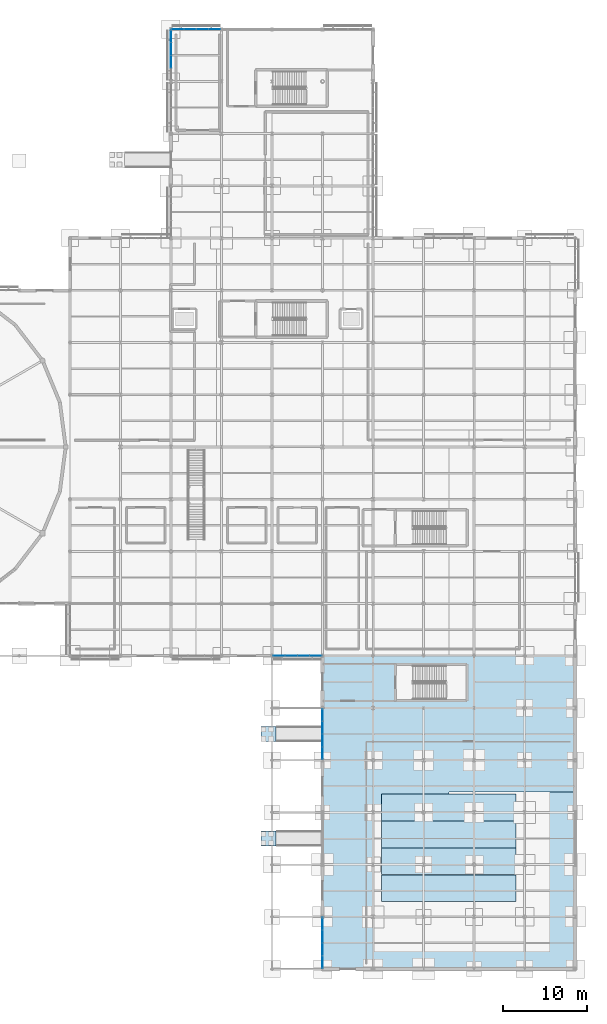
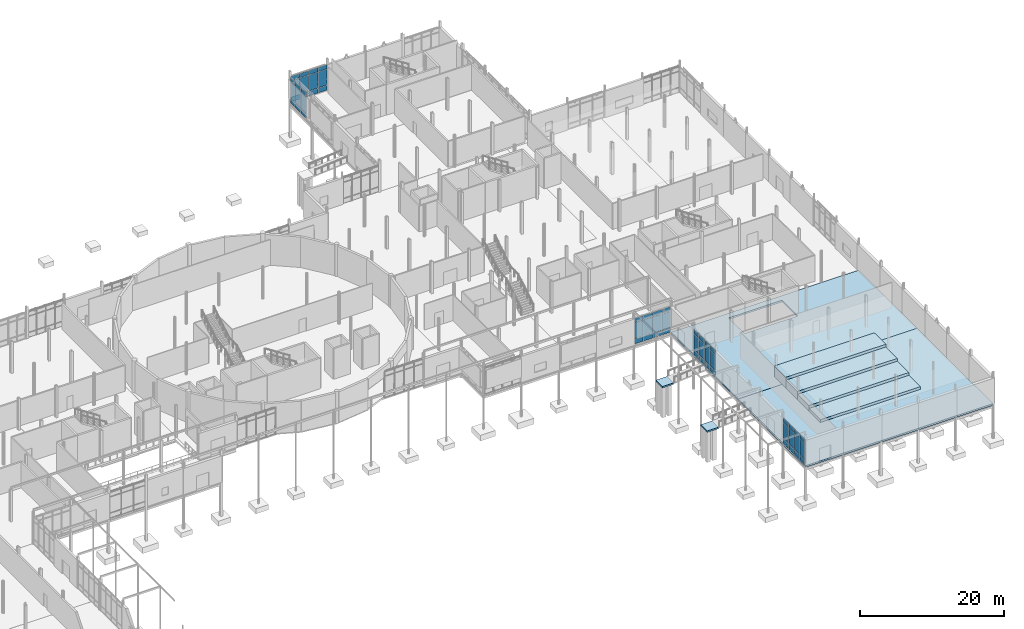
# One storey, part 64 of 98: 57 plates, 8 slabs, 5 elements without a shape of their own.
"""IFC4 building model written with IfcOpenShell, lengths in metres."""

from ifc_helpers import new_model, si_unit, direction, frame, origin, origin_2d, place, context, subcontext, project, spatial, polyline, rectangle, outline, extrude, material, layer, layer_set, type_object, element, aggregate, save


model = new_model("IFC4")

# Units and contexts
model_context = context("Model", 3, precision=1e-05, world=origin(), true_north=direction((0.0, 1.0)))
body_context = subcontext(model_context, "Body", "Model", "MODEL_VIEW")
ifc_project = project(units=[si_unit("LENGTHUNIT", "METRE"), si_unit("AREAUNIT", "SQUARE_METRE"), si_unit("VOLUMEUNIT", "CUBIC_METRE"), si_unit("PLANEANGLEUNIT", "RADIAN"), si_unit("MASSUNIT", "GRAM", prefix="KILO")], contexts=[model_context])

# Site, building, storey
site_placement = place(None, origin())
site = spatial("IfcSite", under=ifc_project, at=site_placement, CompositionType="ELEMENT")
building_placement = place(site_placement, origin())
building = spatial("IfcBuilding", under=site, at=building_placement, Name="Mirzam Square Science Centre", CompositionType="ELEMENT")
storey_placement = place(building_placement, origin())
storey = spatial("IfcBuildingStorey", under=building, at=storey_placement, Name="L00", CompositionType="ELEMENT", Elevation=0.0)

# Curtain wall, plates
ifc_material_1 = material(Name="Anodised Aluminium and Low-E Solar Glass", Category="aluminium")
ifc_layer_1 = layer(ifc_material_1, 0.179931640625)
ifc_layer_set_1 = layer_set([ifc_layer_1], Name="CW-PARK-A")
curtain_wall_type_1 = type_object("IfcCurtainWallType", Name="CW-PARK-A", PredefinedType="USERDEFINED", material=ifc_layer_set_1)
curtain_wall_1_placement = place(storey_placement, origin())
curtain_wall_1 = element("IfcCurtainWall", 1, at=curtain_wall_1_placement, inside=storey, type_object=curtain_wall_type_1, Name="L00 unitised curtain wall 59", ObjectType="UNITISED CURTAIN WALL", PredefinedType="USERDEFINED")
ifc_material_2 = material(Name="Ceramic-Fritted Courtyard Solar Glass", Category="glass")
ifc_layer_2 = layer(ifc_material_2, 0.02392578125)
ifc_layer_set_2 = layer_set([ifc_layer_2], Name="CWP-GLZ-24")
plate_type_1 = type_object("IfcPlateType", Name="CWP-GLZ-24", PredefinedType="CURTAIN_PANEL", material=ifc_layer_set_2)
plate_1_placement = place(storey_placement, frame((132.0, 30.1650390625, 0.074951171875), z_axis=(0.0, 0.0, 1.0), x_axis=(0.0, -1.0, 0.0)))
plate_1 = element("IfcPlate", 2, at=plate_1_placement, type_object=plate_type_1, Name="CW-01 panel 1.1", PredefinedType="CURTAIN_PANEL", context=body_context, shape_type="SweptSolid", body=[
    extrude(rectangle(XDim=1.409912109375, YDim=0.02392578125, at=origin_2d()), origin(), (0.0, 0.0, 1.0), 0.78759765625),
])
plate_2_placement = place(storey_placement, frame((132.0, 30.1650390625, 0.9375), z_axis=(0.0, 0.0, 1.0), x_axis=(0.0, -1.0, 0.0)))
plate_2 = element("IfcPlate", 3, at=plate_2_placement, type_object=plate_type_1, Name="CW-01 panel 1.2", PredefinedType="CURTAIN_PANEL", context=body_context, shape_type="SweptSolid", body=[
    extrude(rectangle(XDim=1.409912109375, YDim=0.02392578125, at=origin_2d()), origin(), (0.0, 0.0, 1.0), 2.6650390625),
])
plate_3_placement = place(storey_placement, frame((132.0, 30.1650390625, 3.677490234375), z_axis=(0.0, 0.0, 1.0), x_axis=(0.0, -1.0, 0.0)))
plate_3 = element("IfcPlate", 4, at=plate_3_placement, type_object=plate_type_1, Name="CW-01 panel 1.3", PredefinedType="CURTAIN_PANEL", context=body_context, shape_type="SweptSolid", body=[
    extrude(rectangle(XDim=1.409912109375, YDim=0.02392578125, at=origin_2d()), origin(), (0.0, 0.0, 1.0), 0.6875),
])
plate_4_placement = place(storey_placement, frame((132.0, 28.6611328125, 0.074951171875), z_axis=(0.0, 0.0, 1.0), x_axis=(0.0, -1.0, 0.0)))
plate_4 = element("IfcPlate", 5, at=plate_4_placement, type_object=plate_type_1, Name="CW-01 panel 2.1", PredefinedType="CURTAIN_PANEL", context=body_context, shape_type="SweptSolid", body=[
    extrude(rectangle(XDim=1.447509765625, YDim=0.02392578125, at=origin_2d()), origin(), (0.0, 0.0, 1.0), 0.78759765625),
])
plate_5_placement = place(storey_placement, frame((132.0, 28.6611328125, 0.9375), z_axis=(0.0, 0.0, 1.0), x_axis=(0.0, -1.0, 0.0)))
plate_5 = element("IfcPlate", 6, at=plate_5_placement, type_object=plate_type_1, Name="CW-01 panel 2.2", PredefinedType="CURTAIN_PANEL", context=body_context, shape_type="SweptSolid", body=[
    extrude(rectangle(XDim=1.447509765625, YDim=0.02392578125, at=origin_2d()), origin(), (0.0, 0.0, 1.0), 2.6650390625),
])
plate_6_placement = place(storey_placement, frame((132.0, 28.6611328125, 3.677490234375), z_axis=(0.0, 0.0, 1.0), x_axis=(0.0, -1.0, 0.0)))
plate_6 = element("IfcPlate", 7, at=plate_6_placement, type_object=plate_type_1, Name="CW-01 panel 2.3", PredefinedType="CURTAIN_PANEL", context=body_context, shape_type="SweptSolid", body=[
    extrude(rectangle(XDim=1.447509765625, YDim=0.02392578125, at=origin_2d()), origin(), (0.0, 0.0, 1.0), 0.6875),
])
plate_7_placement = place(storey_placement, frame((132.0, 27.138671875, 0.074951171875), z_axis=(0.0, 0.0, 1.0), x_axis=(0.0, -1.0, 0.0)))
plate_7 = element("IfcPlate", 8, at=plate_7_placement, type_object=plate_type_1, Name="CW-01 panel 3.1", PredefinedType="CURTAIN_PANEL", context=body_context, shape_type="SweptSolid", body=[
    extrude(rectangle(XDim=1.447509765625, YDim=0.02392578125, at=origin_2d()), origin(), (0.0, 0.0, 1.0), 0.78759765625),
])
plate_8_placement = place(storey_placement, frame((132.0, 27.138671875, 0.9375), z_axis=(0.0, 0.0, 1.0), x_axis=(0.0, -1.0, 0.0)))
plate_8 = element("IfcPlate", 9, at=plate_8_placement, type_object=plate_type_1, Name="CW-01 panel 3.2", PredefinedType="CURTAIN_PANEL", context=body_context, shape_type="SweptSolid", body=[
    extrude(rectangle(XDim=1.447509765625, YDim=0.02392578125, at=origin_2d()), origin(), (0.0, 0.0, 1.0), 2.6650390625),
])
plate_9_placement = place(storey_placement, frame((132.0, 27.138671875, 3.677490234375), z_axis=(0.0, 0.0, 1.0), x_axis=(0.0, -1.0, 0.0)))
plate_9 = element("IfcPlate", 10, at=plate_9_placement, type_object=plate_type_1, Name="CW-01 panel 3.3", PredefinedType="CURTAIN_PANEL", context=body_context, shape_type="SweptSolid", body=[
    extrude(rectangle(XDim=1.447509765625, YDim=0.02392578125, at=origin_2d()), origin(), (0.0, 0.0, 1.0), 0.6875),
])
plate_10_placement = place(storey_placement, frame((132.0, 25.635009765625, 0.074951171875), z_axis=(0.0, 0.0, 1.0), x_axis=(0.0, -1.0, 0.0)))
plate_10 = element("IfcPlate", 11, at=plate_10_placement, type_object=plate_type_1, Name="CW-01 panel 4.1", PredefinedType="CURTAIN_PANEL", context=body_context, shape_type="SweptSolid", body=[
    extrude(rectangle(XDim=1.409912109375, YDim=0.02392578125, at=origin_2d()), origin(), (0.0, 0.0, 1.0), 0.78759765625),
])
plate_11_placement = place(storey_placement, frame((132.0, 25.635009765625, 0.9375), z_axis=(0.0, 0.0, 1.0), x_axis=(0.0, -1.0, 0.0)))
plate_11 = element("IfcPlate", 12, at=plate_11_placement, type_object=plate_type_1, Name="CW-01 panel 4.2", PredefinedType="CURTAIN_PANEL", context=body_context, shape_type="SweptSolid", body=[
    extrude(rectangle(XDim=1.409912109375, YDim=0.02392578125, at=origin_2d()), origin(), (0.0, 0.0, 1.0), 2.6650390625),
])
plate_12_placement = place(storey_placement, frame((132.0, 25.635009765625, 3.677490234375), z_axis=(0.0, 0.0, 1.0), x_axis=(0.0, -1.0, 0.0)))
plate_12 = element("IfcPlate", 13, at=plate_12_placement, type_object=plate_type_1, Name="CW-01 panel 4.3", PredefinedType="CURTAIN_PANEL", context=body_context, shape_type="SweptSolid", body=[
    extrude(rectangle(XDim=1.409912109375, YDim=0.02392578125, at=origin_2d()), origin(), (0.0, 0.0, 1.0), 0.6875),
])
aggregate(curtain_wall_1, [plate_1, plate_2, plate_3, plate_4, plate_5, plate_6, plate_7, plate_8, plate_9, plate_10, plate_11, plate_12])

ifc_layer_3 = layer(ifc_material_1, 0.179931640625)
ifc_layer_set_3 = layer_set([ifc_layer_3], Name="CW-LINK-A")
curtain_wall_type_2 = type_object("IfcCurtainWallType", Name="CW-LINK-A", PredefinedType="USERDEFINED", material=ifc_layer_set_3)
curtain_wall_2_placement = place(storey_placement, origin())
curtain_wall_2 = element("IfcCurtainWall", 14, at=curtain_wall_2_placement, inside=storey, type_object=curtain_wall_type_2, Name="L00 unitised curtain wall 66", ObjectType="UNITISED CURTAIN WALL", PredefinedType="USERDEFINED")
ifc_material_3 = material(Name="Laminated Low-Iron Observatory Solar Glass", Category="glass")
ifc_layer_4 = layer(ifc_material_3, 0.035888671875)
ifc_layer_set_4 = layer_set([ifc_layer_4], Name="CWP-GLZ-36")
plate_type_2 = type_object("IfcPlateType", Name="CWP-GLZ-36", PredefinedType="CURTAIN_PANEL", material=ifc_layer_set_4)
plate_13_placement = place(storey_placement, frame((126.8076171875, 37.199951171875, 0.06494140625), z_axis=(0.0, 0.0, 1.0), x_axis=(1.0, 0.0, 0.0)))
plate_13 = element("IfcPlate", 15, at=plate_13_placement, type_object=plate_type_2, Name="CW-08 panel 1.1", PredefinedType="CURTAIN_PANEL", context=body_context, shape_type="SweptSolid", body=[
    extrude(rectangle(XDim=1.375, YDim=0.035888671875, at=origin_2d()), origin(), (0.0, 0.0, 1.0), 0.802490234375),
])
plate_14_placement = place(storey_placement, frame((126.8076171875, 37.199951171875, 0.9326171875), z_axis=(0.0, 0.0, 1.0), x_axis=(1.0, 0.0, 0.0)))
plate_14 = element("IfcPlate", 16, at=plate_14_placement, type_object=plate_type_2, Name="CW-08 panel 1.2", PredefinedType="CURTAIN_PANEL", context=body_context, shape_type="SweptSolid", body=[
    extrude(rectangle(XDim=1.375, YDim=0.035888671875, at=origin_2d()), origin(), (0.0, 0.0, 1.0), 2.675048828125),
])
plate_15_placement = place(storey_placement, frame((126.8076171875, 37.199951171875, 3.67236328125), z_axis=(0.0, 0.0, 1.0), x_axis=(1.0, 0.0, 0.0)))
plate_15 = element("IfcPlate", 17, at=plate_15_placement, type_object=plate_type_2, Name="CW-08 panel 1.3", PredefinedType="CURTAIN_PANEL", context=body_context, shape_type="SweptSolid", body=[
    extrude(rectangle(XDim=1.375, YDim=0.035888671875, at=origin_2d()), origin(), (0.0, 0.0, 1.0), 0.702392578125),
])
plate_16_placement = place(storey_placement, frame((128.263671875, 37.199951171875, 0.06494140625), z_axis=(0.0, 0.0, 1.0), x_axis=(1.0, 0.0, 0.0)))
plate_16 = element("IfcPlate", 18, at=plate_16_placement, type_object=plate_type_2, Name="CW-08 panel 2.1", PredefinedType="CURTAIN_PANEL", context=body_context, shape_type="SweptSolid", body=[
    extrude(rectangle(XDim=1.407470703125, YDim=0.035888671875, at=origin_2d()), origin(), (0.0, 0.0, 1.0), 0.802490234375),
])
plate_17_placement = place(storey_placement, frame((128.263671875, 37.199951171875, 0.9326171875), z_axis=(0.0, 0.0, 1.0), x_axis=(1.0, 0.0, 0.0)))
plate_17 = element("IfcPlate", 19, at=plate_17_placement, type_object=plate_type_2, Name="CW-08 panel 2.2", PredefinedType="CURTAIN_PANEL", context=body_context, shape_type="SweptSolid", body=[
    extrude(rectangle(XDim=1.407470703125, YDim=0.035888671875, at=origin_2d()), origin(), (0.0, 0.0, 1.0), 2.675048828125),
])
plate_18_placement = place(storey_placement, frame((128.263671875, 37.199951171875, 3.67236328125), z_axis=(0.0, 0.0, 1.0), x_axis=(1.0, 0.0, 0.0)))
plate_18 = element("IfcPlate", 20, at=plate_18_placement, type_object=plate_type_2, Name="CW-08 panel 2.3", PredefinedType="CURTAIN_PANEL", context=body_context, shape_type="SweptSolid", body=[
    extrude(rectangle(XDim=1.407470703125, YDim=0.035888671875, at=origin_2d()), origin(), (0.0, 0.0, 1.0), 0.702392578125),
])
plate_19_placement = place(storey_placement, frame((129.736328125, 37.199951171875, 0.06494140625), z_axis=(0.0, 0.0, 1.0), x_axis=(1.0, 0.0, 0.0)))
plate_19 = element("IfcPlate", 21, at=plate_19_placement, type_object=plate_type_2, Name="CW-08 panel 3.1", PredefinedType="CURTAIN_PANEL", context=body_context, shape_type="SweptSolid", body=[
    extrude(rectangle(XDim=1.407470703125, YDim=0.035888671875, at=origin_2d()), origin(), (0.0, 0.0, 1.0), 0.802490234375),
])
plate_20_placement = place(storey_placement, frame((129.736328125, 37.199951171875, 0.9326171875), z_axis=(0.0, 0.0, 1.0), x_axis=(1.0, 0.0, 0.0)))
plate_20 = element("IfcPlate", 22, at=plate_20_placement, type_object=plate_type_2, Name="CW-08 panel 3.2", PredefinedType="CURTAIN_PANEL", context=body_context, shape_type="SweptSolid", body=[
    extrude(rectangle(XDim=1.407470703125, YDim=0.035888671875, at=origin_2d()), origin(), (0.0, 0.0, 1.0), 2.675048828125),
])
plate_21_placement = place(storey_placement, frame((129.736328125, 37.199951171875, 3.67236328125), z_axis=(0.0, 0.0, 1.0), x_axis=(1.0, 0.0, 0.0)))
plate_21 = element("IfcPlate", 23, at=plate_21_placement, type_object=plate_type_2, Name="CW-08 panel 3.3", PredefinedType="CURTAIN_PANEL", context=body_context, shape_type="SweptSolid", body=[
    extrude(rectangle(XDim=1.407470703125, YDim=0.035888671875, at=origin_2d()), origin(), (0.0, 0.0, 1.0), 0.702392578125),
])
plate_22_placement = place(storey_placement, frame((131.1923828125, 37.199951171875, 0.06494140625), z_axis=(0.0, 0.0, 1.0), x_axis=(1.0, 0.0, 0.0)))
plate_22 = element("IfcPlate", 24, at=plate_22_placement, type_object=plate_type_2, Name="CW-08 panel 4.1", PredefinedType="CURTAIN_PANEL", context=body_context, shape_type="SweptSolid", body=[
    extrude(rectangle(XDim=1.375, YDim=0.035888671875, at=origin_2d()), origin(), (0.0, 0.0, 1.0), 0.802490234375),
])
plate_23_placement = place(storey_placement, frame((131.1923828125, 37.199951171875, 0.9326171875), z_axis=(0.0, 0.0, 1.0), x_axis=(1.0, 0.0, 0.0)))
plate_23 = element("IfcPlate", 25, at=plate_23_placement, type_object=plate_type_2, Name="CW-08 panel 4.2", PredefinedType="CURTAIN_PANEL", context=body_context, shape_type="SweptSolid", body=[
    extrude(rectangle(XDim=1.375, YDim=0.035888671875, at=origin_2d()), origin(), (0.0, 0.0, 1.0), 2.675048828125),
])
plate_24_placement = place(storey_placement, frame((131.1923828125, 37.199951171875, 3.67236328125), z_axis=(0.0, 0.0, 1.0), x_axis=(1.0, 0.0, 0.0)))
plate_24 = element("IfcPlate", 26, at=plate_24_placement, type_object=plate_type_2, Name="CW-08 panel 4.3", PredefinedType="CURTAIN_PANEL", context=body_context, shape_type="SweptSolid", body=[
    extrude(rectangle(XDim=1.375, YDim=0.035888671875, at=origin_2d()), origin(), (0.0, 0.0, 1.0), 0.702392578125),
])
aggregate(curtain_wall_2, [plate_13, plate_14, plate_15, plate_16, plate_17, plate_18, plate_19, plate_20, plate_21, plate_22, plate_23, plate_24])

ifc_layer_5 = layer(ifc_material_1, 0.199951171875)
ifc_layer_set_5 = layer_set([ifc_layer_5], Name="CW-EAST-A")
curtain_wall_type_3 = type_object("IfcCurtainWallType", Name="CW-EAST-A", PredefinedType="USERDEFINED", material=ifc_layer_set_5)
curtain_wall_3_placement = place(storey_placement, origin())
curtain_wall_3 = element("IfcCurtainWall", 27, at=curtain_wall_3_placement, inside=storey, type_object=curtain_wall_type_3, Name="L00 unitised curtain wall 58", ObjectType="UNITISED CURTAIN WALL", PredefinedType="USERDEFINED")
ifc_material_4 = material(Name="Acoustic Laminated Solar Spandrel Glass", Category="glass")
ifc_layer_6 = layer(ifc_material_4, 0.0400390625)
ifc_layer_set_6 = layer_set([ifc_layer_6], Name="CWP-GLZ-40")
plate_type_3 = type_object("IfcPlateType", Name="CWP-GLZ-40", PredefinedType="CURTAIN_PANEL", material=ifc_layer_set_6)
plate_25_placement = place(storey_placement, frame((132.0, 5.367431640625, 0.06494140625), z_axis=(0.0, 0.0, 1.0), x_axis=(0.0, -1.0, 0.0)))
plate_25 = element("IfcPlate", 28, at=plate_25_placement, type_object=plate_type_3, Name="CW-05 panel 1.1", PredefinedType="CURTAIN_PANEL", context=body_context, shape_type="SweptSolid", body=[
    extrude(rectangle(XDim=1.425048828125, YDim=0.0400390625, at=origin_2d()), origin(), (0.0, 0.0, 1.0), 0.802490234375),
])
plate_26_placement = place(storey_placement, frame((132.0, 5.367431640625, 0.9326171875), z_axis=(0.0, 0.0, 1.0), x_axis=(0.0, -1.0, 0.0)))
plate_26 = element("IfcPlate", 29, at=plate_26_placement, type_object=plate_type_3, Name="CW-05 panel 1.2", PredefinedType="CURTAIN_PANEL", context=body_context, shape_type="SweptSolid", body=[
    extrude(rectangle(XDim=1.425048828125, YDim=0.0400390625, at=origin_2d()), origin(), (0.0, 0.0, 1.0), 2.675048828125),
])
plate_27_placement = place(storey_placement, frame((132.0, 5.367431640625, 3.67236328125), z_axis=(0.0, 0.0, 1.0), x_axis=(0.0, -1.0, 0.0)))
plate_27 = element("IfcPlate", 30, at=plate_27_placement, type_object=plate_type_3, Name="CW-05 panel 1.3", PredefinedType="CURTAIN_PANEL", context=body_context, shape_type="SweptSolid", body=[
    extrude(rectangle(XDim=1.425048828125, YDim=0.0400390625, at=origin_2d()), origin(), (0.0, 0.0, 1.0), 0.702392578125),
])
plate_28_placement = place(storey_placement, frame((132.0, 3.861328125, 0.06494140625), z_axis=(0.0, 0.0, 1.0), x_axis=(0.0, -1.0, 0.0)))
plate_28 = element("IfcPlate", 31, at=plate_28_placement, type_object=plate_type_3, Name="CW-05 panel 2.1", PredefinedType="CURTAIN_PANEL", context=body_context, shape_type="SweptSolid", body=[
    extrude(rectangle(XDim=1.45751953125, YDim=0.0400390625, at=origin_2d()), origin(), (0.0, 0.0, 1.0), 0.802490234375),
])
plate_29_placement = place(storey_placement, frame((132.0, 3.861328125, 0.9326171875), z_axis=(0.0, 0.0, 1.0), x_axis=(0.0, -1.0, 0.0)))
plate_29 = element("IfcPlate", 32, at=plate_29_placement, type_object=plate_type_3, Name="CW-05 panel 2.2", PredefinedType="CURTAIN_PANEL", context=body_context, shape_type="SweptSolid", body=[
    extrude(rectangle(XDim=1.45751953125, YDim=0.0400390625, at=origin_2d()), origin(), (0.0, 0.0, 1.0), 2.675048828125),
])
plate_30_placement = place(storey_placement, frame((132.0, 3.861328125, 3.67236328125), z_axis=(0.0, 0.0, 1.0), x_axis=(0.0, -1.0, 0.0)))
plate_30 = element("IfcPlate", 33, at=plate_30_placement, type_object=plate_type_3, Name="CW-05 panel 2.3", PredefinedType="CURTAIN_PANEL", context=body_context, shape_type="SweptSolid", body=[
    extrude(rectangle(XDim=1.45751953125, YDim=0.0400390625, at=origin_2d()), origin(), (0.0, 0.0, 1.0), 0.702392578125),
])
plate_31_placement = place(storey_placement, frame((132.0, 2.3388671875, 0.06494140625), z_axis=(0.0, 0.0, 1.0), x_axis=(0.0, -1.0, 0.0)))
plate_31 = element("IfcPlate", 34, at=plate_31_placement, type_object=plate_type_3, Name="CW-05 panel 3.1", PredefinedType="CURTAIN_PANEL", context=body_context, shape_type="SweptSolid", body=[
    extrude(rectangle(XDim=1.45751953125, YDim=0.0400390625, at=origin_2d()), origin(), (0.0, 0.0, 1.0), 0.802490234375),
])
plate_32_placement = place(storey_placement, frame((132.0, 2.3388671875, 0.9326171875), z_axis=(0.0, 0.0, 1.0), x_axis=(0.0, -1.0, 0.0)))
plate_32 = element("IfcPlate", 35, at=plate_32_placement, type_object=plate_type_3, Name="CW-05 panel 3.2", PredefinedType="CURTAIN_PANEL", context=body_context, shape_type="SweptSolid", body=[
    extrude(rectangle(XDim=1.45751953125, YDim=0.0400390625, at=origin_2d()), origin(), (0.0, 0.0, 1.0), 2.675048828125),
])
plate_33_placement = place(storey_placement, frame((132.0, 2.3388671875, 3.67236328125), z_axis=(0.0, 0.0, 1.0), x_axis=(0.0, -1.0, 0.0)))
plate_33 = element("IfcPlate", 36, at=plate_33_placement, type_object=plate_type_3, Name="CW-05 panel 3.3", PredefinedType="CURTAIN_PANEL", context=body_context, shape_type="SweptSolid", body=[
    extrude(rectangle(XDim=1.45751953125, YDim=0.0400390625, at=origin_2d()), origin(), (0.0, 0.0, 1.0), 0.702392578125),
])
plate_34_placement = place(storey_placement, frame((132.0, 0.83251953125, 0.06494140625), z_axis=(0.0, 0.0, 1.0), x_axis=(0.0, -1.0, 0.0)))
plate_34 = element("IfcPlate", 37, at=plate_34_placement, type_object=plate_type_3, Name="CW-05 panel 4.1", PredefinedType="CURTAIN_PANEL", context=body_context, shape_type="SweptSolid", body=[
    extrude(rectangle(XDim=1.425048828125, YDim=0.0400390625, at=origin_2d()), origin(), (0.0, 0.0, 1.0), 0.802490234375),
])
plate_35_placement = place(storey_placement, frame((132.0, 0.83251953125, 0.9326171875), z_axis=(0.0, 0.0, 1.0), x_axis=(0.0, -1.0, 0.0)))
plate_35 = element("IfcPlate", 38, at=plate_35_placement, type_object=plate_type_3, Name="CW-05 panel 4.2", PredefinedType="CURTAIN_PANEL", context=body_context, shape_type="SweptSolid", body=[
    extrude(rectangle(XDim=1.425048828125, YDim=0.0400390625, at=origin_2d()), origin(), (0.0, 0.0, 1.0), 2.675048828125),
])
plate_36_placement = place(storey_placement, frame((132.0, 0.83251953125, 3.67236328125), z_axis=(0.0, 0.0, 1.0), x_axis=(0.0, -1.0, 0.0)))
plate_36 = element("IfcPlate", 39, at=plate_36_placement, type_object=plate_type_3, Name="CW-05 panel 4.3", PredefinedType="CURTAIN_PANEL", context=body_context, shape_type="SweptSolid", body=[
    extrude(rectangle(XDim=1.425048828125, YDim=0.0400390625, at=origin_2d()), origin(), (0.0, 0.0, 1.0), 0.702392578125),
])
aggregate(curtain_wall_3, [plate_25, plate_26, plate_27, plate_28, plate_29, plate_30, plate_31, plate_32, plate_33, plate_34, plate_35, plate_36])

ifc_layer_7 = layer(ifc_material_1, 0.159912109375)
ifc_layer_set_7 = layer_set([ifc_layer_7], Name="CW-COURT-B")
curtain_wall_type_4 = type_object("IfcCurtainWallType", Name="CW-COURT-B", PredefinedType="USERDEFINED", material=ifc_layer_set_7)
curtain_wall_4_placement = place(storey_placement, origin())
curtain_wall_4 = element("IfcCurtainWall", 40, at=curtain_wall_4_placement, inside=storey, type_object=curtain_wall_type_4, Name="L00 unitised curtain wall 73", ObjectType="UNITISED CURTAIN WALL", PredefinedType="USERDEFINED")
plate_37_placement = place(storey_placement, frame((119.1923828125, 111.60009765625, 0.06494140625), z_axis=(0.0, 0.0, 1.0), x_axis=(-1.0, 0.0, 0.0)))
plate_37 = element("IfcPlate", 41, at=plate_37_placement, type_object=plate_type_3, Name="CW-04 panel 1.1", PredefinedType="CURTAIN_PANEL", context=body_context, shape_type="SweptSolid", body=[
    extrude(rectangle(XDim=1.375, YDim=0.0400390625, at=origin_2d()), origin(), (0.0, 0.0, 1.0), 0.802490234375),
])
plate_38_placement = place(storey_placement, frame((119.1923828125, 111.60009765625, 0.9326171875), z_axis=(0.0, 0.0, 1.0), x_axis=(-1.0, 0.0, 0.0)))
plate_38 = element("IfcPlate", 42, at=plate_38_placement, type_object=plate_type_3, Name="CW-04 panel 1.2", PredefinedType="CURTAIN_PANEL", context=body_context, shape_type="SweptSolid", body=[
    extrude(rectangle(XDim=1.375, YDim=0.0400390625, at=origin_2d()), origin(), (0.0, 0.0, 1.0), 2.675048828125),
])
plate_39_placement = place(storey_placement, frame((119.1923828125, 111.60009765625, 3.67236328125), z_axis=(0.0, 0.0, 1.0), x_axis=(-1.0, 0.0, 0.0)))
plate_39 = element("IfcPlate", 43, at=plate_39_placement, type_object=plate_type_3, Name="CW-04 panel 1.3", PredefinedType="CURTAIN_PANEL", context=body_context, shape_type="SweptSolid", body=[
    extrude(rectangle(XDim=1.375, YDim=0.0400390625, at=origin_2d()), origin(), (0.0, 0.0, 1.0), 0.702392578125),
])
plate_40_placement = place(storey_placement, frame((117.736328125, 111.60009765625, 0.06494140625), z_axis=(0.0, 0.0, 1.0), x_axis=(-1.0, 0.0, 0.0)))
plate_40 = element("IfcPlate", 44, at=plate_40_placement, type_object=plate_type_3, Name="CW-04 panel 2.1", PredefinedType="CURTAIN_PANEL", context=body_context, shape_type="SweptSolid", body=[
    extrude(rectangle(XDim=1.407470703125, YDim=0.0400390625, at=origin_2d()), origin(), (0.0, 0.0, 1.0), 0.802490234375),
])
plate_41_placement = place(storey_placement, frame((117.736328125, 111.60009765625, 0.9326171875), z_axis=(0.0, 0.0, 1.0), x_axis=(-1.0, 0.0, 0.0)))
plate_41 = element("IfcPlate", 45, at=plate_41_placement, type_object=plate_type_3, Name="CW-04 panel 2.2", PredefinedType="CURTAIN_PANEL", context=body_context, shape_type="SweptSolid", body=[
    extrude(rectangle(XDim=1.407470703125, YDim=0.0400390625, at=origin_2d()), origin(), (0.0, 0.0, 1.0), 2.675048828125),
])
plate_42_placement = place(storey_placement, frame((117.736328125, 111.60009765625, 3.67236328125), z_axis=(0.0, 0.0, 1.0), x_axis=(-1.0, 0.0, 0.0)))
plate_42 = element("IfcPlate", 46, at=plate_42_placement, type_object=plate_type_3, Name="CW-04 panel 2.3", PredefinedType="CURTAIN_PANEL", context=body_context, shape_type="SweptSolid", body=[
    extrude(rectangle(XDim=1.407470703125, YDim=0.0400390625, at=origin_2d()), origin(), (0.0, 0.0, 1.0), 0.702392578125),
])
plate_43_placement = place(storey_placement, frame((116.263671875, 111.60009765625, 0.06494140625), z_axis=(0.0, 0.0, 1.0), x_axis=(-1.0, 0.0, 0.0)))
plate_43 = element("IfcPlate", 47, at=plate_43_placement, type_object=plate_type_3, Name="CW-04 panel 3.1", PredefinedType="CURTAIN_PANEL", context=body_context, shape_type="SweptSolid", body=[
    extrude(rectangle(XDim=1.407470703125, YDim=0.0400390625, at=origin_2d()), origin(), (0.0, 0.0, 1.0), 0.802490234375),
])
plate_44_placement = place(storey_placement, frame((116.263671875, 111.60009765625, 0.9326171875), z_axis=(0.0, 0.0, 1.0), x_axis=(-1.0, 0.0, 0.0)))
plate_44 = element("IfcPlate", 48, at=plate_44_placement, type_object=plate_type_3, Name="CW-04 panel 3.2", PredefinedType="CURTAIN_PANEL", context=body_context, shape_type="SweptSolid", body=[
    extrude(rectangle(XDim=1.407470703125, YDim=0.0400390625, at=origin_2d()), origin(), (0.0, 0.0, 1.0), 2.675048828125),
])
plate_45_placement = place(storey_placement, frame((116.263671875, 111.60009765625, 3.67236328125), z_axis=(0.0, 0.0, 1.0), x_axis=(-1.0, 0.0, 0.0)))
plate_45 = element("IfcPlate", 49, at=plate_45_placement, type_object=plate_type_3, Name="CW-04 panel 3.3", PredefinedType="CURTAIN_PANEL", context=body_context, shape_type="SweptSolid", body=[
    extrude(rectangle(XDim=1.407470703125, YDim=0.0400390625, at=origin_2d()), origin(), (0.0, 0.0, 1.0), 0.702392578125),
])
plate_46_placement = place(storey_placement, frame((114.8076171875, 111.60009765625, 0.06494140625), z_axis=(0.0, 0.0, 1.0), x_axis=(-1.0, 0.0, 0.0)))
plate_46 = element("IfcPlate", 50, at=plate_46_placement, type_object=plate_type_3, Name="CW-04 panel 4.1", PredefinedType="CURTAIN_PANEL", context=body_context, shape_type="SweptSolid", body=[
    extrude(rectangle(XDim=1.375, YDim=0.0400390625, at=origin_2d()), origin(), (0.0, 0.0, 1.0), 0.802490234375),
])
plate_47_placement = place(storey_placement, frame((114.8076171875, 111.60009765625, 0.9326171875), z_axis=(0.0, 0.0, 1.0), x_axis=(-1.0, 0.0, 0.0)))
plate_47 = element("IfcPlate", 51, at=plate_47_placement, type_object=plate_type_3, Name="CW-04 panel 4.2", PredefinedType="CURTAIN_PANEL", context=body_context, shape_type="SweptSolid", body=[
    extrude(rectangle(XDim=1.375, YDim=0.0400390625, at=origin_2d()), origin(), (0.0, 0.0, 1.0), 2.675048828125),
])
plate_48_placement = place(storey_placement, frame((114.8076171875, 111.60009765625, 3.67236328125), z_axis=(0.0, 0.0, 1.0), x_axis=(-1.0, 0.0, 0.0)))
plate_48 = element("IfcPlate", 52, at=plate_48_placement, type_object=plate_type_3, Name="CW-04 panel 4.3", PredefinedType="CURTAIN_PANEL", context=body_context, shape_type="SweptSolid", body=[
    extrude(rectangle(XDim=1.375, YDim=0.0400390625, at=origin_2d()), origin(), (0.0, 0.0, 1.0), 0.702392578125),
])
aggregate(curtain_wall_4, [plate_37, plate_38, plate_39, plate_40, plate_41, plate_42, plate_43, plate_44, plate_45, plate_46, plate_47, plate_48])

curtain_wall_5_placement = place(storey_placement, origin())
curtain_wall_5 = element("IfcCurtainWall", 53, at=curtain_wall_5_placement, inside=storey, type_object=curtain_wall_type_3, Name="L00 unitised curtain wall 80", ObjectType="UNITISED CURTAIN WALL", PredefinedType="USERDEFINED")
plate_49_placement = place(storey_placement, frame((114.0, 110.767578125, 0.06494140625), z_axis=(0.0, 0.0, 1.0), x_axis=(0.0, -1.0, 0.0)))
plate_49 = element("IfcPlate", 54, at=plate_49_placement, type_object=plate_type_3, Name="CW-05 panel 1.1", PredefinedType="CURTAIN_PANEL", context=body_context, shape_type="SweptSolid", body=[
    extrude(rectangle(XDim=1.425048828125, YDim=0.0400390625, at=origin_2d()), origin(), (0.0, 0.0, 1.0), 0.802490234375),
])
plate_50_placement = place(storey_placement, frame((114.0, 110.767578125, 0.9326171875), z_axis=(0.0, 0.0, 1.0), x_axis=(0.0, -1.0, 0.0)))
plate_50 = element("IfcPlate", 55, at=plate_50_placement, type_object=plate_type_3, Name="CW-05 panel 1.2", PredefinedType="CURTAIN_PANEL", context=body_context, shape_type="SweptSolid", body=[
    extrude(rectangle(XDim=1.425048828125, YDim=0.0400390625, at=origin_2d()), origin(), (0.0, 0.0, 1.0), 2.675048828125),
])
plate_51_placement = place(storey_placement, frame((114.0, 110.767578125, 3.67236328125), z_axis=(0.0, 0.0, 1.0), x_axis=(0.0, -1.0, 0.0)))
plate_51 = element("IfcPlate", 56, at=plate_51_placement, type_object=plate_type_3, Name="CW-05 panel 1.3", PredefinedType="CURTAIN_PANEL", context=body_context, shape_type="SweptSolid", body=[
    extrude(rectangle(XDim=1.425048828125, YDim=0.0400390625, at=origin_2d()), origin(), (0.0, 0.0, 1.0), 0.702392578125),
])
plate_52_placement = place(storey_placement, frame((114.0, 109.26123046875, 0.06494140625), z_axis=(0.0, 0.0, 1.0), x_axis=(0.0, -1.0, 0.0)))
plate_52 = element("IfcPlate", 57, at=plate_52_placement, type_object=plate_type_3, Name="CW-05 panel 2.1", PredefinedType="CURTAIN_PANEL", context=body_context, shape_type="SweptSolid", body=[
    extrude(rectangle(XDim=1.45751953125, YDim=0.0400390625, at=origin_2d()), origin(), (0.0, 0.0, 1.0), 0.802490234375),
])
plate_53_placement = place(storey_placement, frame((114.0, 109.26123046875, 0.9326171875), z_axis=(0.0, 0.0, 1.0), x_axis=(0.0, -1.0, 0.0)))
plate_53 = element("IfcPlate", 58, at=plate_53_placement, type_object=plate_type_3, Name="CW-05 panel 2.2", PredefinedType="CURTAIN_PANEL", context=body_context, shape_type="SweptSolid", body=[
    extrude(rectangle(XDim=1.45751953125, YDim=0.0400390625, at=origin_2d()), origin(), (0.0, 0.0, 1.0), 2.675048828125),
])
plate_54_placement = place(storey_placement, frame((114.0, 109.26123046875, 3.67236328125), z_axis=(0.0, 0.0, 1.0), x_axis=(0.0, -1.0, 0.0)))
plate_54 = element("IfcPlate", 59, at=plate_54_placement, type_object=plate_type_3, Name="CW-05 panel 2.3", PredefinedType="CURTAIN_PANEL", context=body_context, shape_type="SweptSolid", body=[
    extrude(rectangle(XDim=1.45751953125, YDim=0.0400390625, at=origin_2d()), origin(), (0.0, 0.0, 1.0), 0.702392578125),
])
plate_55_placement = place(storey_placement, frame((114.0, 107.73876953125, 0.06494140625), z_axis=(0.0, 0.0, 1.0), x_axis=(0.0, -1.0, 0.0)))
plate_55 = element("IfcPlate", 60, at=plate_55_placement, type_object=plate_type_3, Name="CW-05 panel 3.1", PredefinedType="CURTAIN_PANEL", context=body_context, shape_type="SweptSolid", body=[
    extrude(rectangle(XDim=1.45751953125, YDim=0.0400390625, at=origin_2d()), origin(), (0.0, 0.0, 1.0), 0.802490234375),
])
plate_56_placement = place(storey_placement, frame((114.0, 107.73876953125, 0.9326171875), z_axis=(0.0, 0.0, 1.0), x_axis=(0.0, -1.0, 0.0)))
plate_56 = element("IfcPlate", 61, at=plate_56_placement, type_object=plate_type_3, Name="CW-05 panel 3.2", PredefinedType="CURTAIN_PANEL", context=body_context, shape_type="SweptSolid", body=[
    extrude(rectangle(XDim=1.45751953125, YDim=0.0400390625, at=origin_2d()), origin(), (0.0, 0.0, 1.0), 2.675048828125),
])
plate_57_placement = place(storey_placement, frame((114.0, 107.73876953125, 3.67236328125), z_axis=(0.0, 0.0, 1.0), x_axis=(0.0, -1.0, 0.0)))
plate_57 = element("IfcPlate", 62, at=plate_57_placement, type_object=plate_type_3, Name="CW-05 panel 3.3", PredefinedType="CURTAIN_PANEL", context=body_context, shape_type="SweptSolid", body=[
    extrude(rectangle(XDim=1.45751953125, YDim=0.0400390625, at=origin_2d()), origin(), (0.0, 0.0, 1.0), 0.702392578125),
])
aggregate(curtain_wall_5, [plate_49, plate_50, plate_51, plate_52, plate_53, plate_54, plate_55, plate_56, plate_57])

# Slabs
ifc_material_5 = material(Name="Concrete C45/55", Category="concrete")
ifc_layer_8 = layer(ifc_material_5, 0.300048828125)
ifc_layer_set_8 = layer_set([ifc_layer_8], Name="SL-GND-300")
slab_type_1 = type_object("IfcSlabType", Name="SL-GND-300", PredefinedType="FLOOR", material=ifc_layer_set_8)
slab_1_placement = place(storey_placement, frame((0.0, 0.0, -0.300048828125)))
element("IfcSlab", 63, at=slab_1_placement, inside=storey, type_object=slab_type_1, Name="L00 se theatre 1 slab", PredefinedType="FLOOR", context=body_context, shape_type="SweptSolid", body=[
    extrude(outline(polyline([(147.0, 18.60009765625), (147.0, 21.0), (162.0, 21.0), (162.0, 0.0), (132.0, 0.0), (132.0, 18.60009765625), (147.0, 18.60009765625)])), origin(), (0.0, 0.0, 1.0), 0.300048828125),
])
slab_2_placement = place(storey_placement, frame((0.0, 0.0, -0.300048828125)))
element("IfcSlab", 64, at=slab_2_placement, inside=storey, type_object=slab_type_1, Name="L00 se theatre 2 slab", PredefinedType="FLOOR", context=body_context, shape_type="SweptSolid", body=[
    extrude(outline(polyline([(132.0, 37.199951171875), (162.0, 37.199951171875), (162.0, 21.0048828125), (146.9951171875, 21.0048828125), (146.9951171875, 18.60498046875), (132.0, 18.60498046875), (132.0, 37.199951171875)]), holes=[polyline([(140.639892578125, 36.2099609375), (140.639892578125, 31.840087890625), (149.159912109375, 31.840087890625), (149.159912109375, 36.2099609375), (140.639892578125, 36.2099609375)])]), origin(), (0.0, 0.0, 1.0), 0.300048828125),
])
slab_3_placement = place(storey_placement, frame((0.0, 0.0, -0.699951171875)))
element("IfcSlab", 65, at=slab_3_placement, inside=storey, type_object=slab_type_1, Name="RAMP-PED-01 arrival apron", PredefinedType="FLOOR", context=body_context, shape_type="SweptSolid", body=[
    extrude(outline(polyline([(124.699951171875, 14.60009765625), (126.5, 14.60009765625), (126.5, 16.39990234375), (124.699951171875, 16.39990234375), (124.699951171875, 14.60009765625)])), origin(), (0.0, 0.0, 1.0), 0.25),
])
slab_4_placement = place(storey_placement, frame((0.0, 0.0, -0.699951171875)))
element("IfcSlab", 66, at=slab_4_placement, inside=storey, type_object=slab_type_1, Name="RAMP-PED-02 arrival apron", PredefinedType="FLOOR", context=body_context, shape_type="SweptSolid", body=[
    extrude(outline(polyline([(124.699951171875, 27.0), (126.5, 27.0), (126.5, 28.800048828125), (124.699951171875, 28.800048828125), (124.699951171875, 27.0)])), origin(), (0.0, 0.0, 1.0), 0.25),
])
ifc_material_6 = material(Name="Concrete C40/50", Category="concrete")
ifc_layer_9 = layer(ifc_material_6, 0.195068359375)
ifc_layer_set_9 = layer_set([ifc_layer_9], Name="SL-TIER-195")
slab_type_2 = type_object("IfcSlabType", Name="SL-TIER-195", PredefinedType="USERDEFINED", material=ifc_layer_set_9)
slab_5_placement = place(storey_placement, origin())
element("IfcSlab", 67, at=slab_5_placement, inside=storey, type_object=slab_type_2, Name="Large-format theatre raked seating tier 2", ObjectType="SEATING TIER", PredefinedType="USERDEFINED", context=body_context, shape_type="SweptSolid", body=[
    extrude(outline(polyline([(139.0, 11.199951171875), (155.0, 11.199951171875), (155.0, 14.3798828125), (139.0, 14.3798828125), (139.0, 11.199951171875)])), origin(), (0.0, 0.0, 1.0), 0.89990234375),
])
slab_6_placement = place(storey_placement, origin())
element("IfcSlab", 68, at=slab_6_placement, inside=storey, type_object=slab_type_2, Name="Large-format theatre raked seating tier 4", ObjectType="SEATING TIER", PredefinedType="USERDEFINED", context=body_context, shape_type="SweptSolid", body=[
    extrude(outline(polyline([(139.0, 17.60009765625), (155.0, 17.60009765625), (155.0, 20.780029296875), (139.0, 20.780029296875), (139.0, 17.60009765625)])), origin(), (0.0, 0.0, 1.0), 1.800048828125),
])
ifc_layer_10 = layer(ifc_material_6, 0.199951171875)
ifc_layer_set_10 = layer_set([ifc_layer_10], Name="SL-TIER-200")
slab_type_3 = type_object("IfcSlabType", Name="SL-TIER-200", PredefinedType="USERDEFINED", material=ifc_layer_set_10)
slab_7_placement = place(storey_placement, origin())
element("IfcSlab", 69, at=slab_7_placement, inside=storey, type_object=slab_type_3, Name="Large-format theatre raked seating tier 1", ObjectType="SEATING TIER", PredefinedType="USERDEFINED", context=body_context, shape_type="SweptSolid", body=[
    extrude(outline(polyline([(139.0, 8.0), (155.0, 8.0), (155.0, 11.179931640625), (139.0, 11.179931640625), (139.0, 8.0)])), origin(), (0.0, 0.0, 1.0), 0.449951171875),
])
slab_8_placement = place(storey_placement, origin())
element("IfcSlab", 70, at=slab_8_placement, inside=storey, type_object=slab_type_3, Name="Large-format theatre raked seating tier 3", ObjectType="SEATING TIER", PredefinedType="USERDEFINED", context=body_context, shape_type="SweptSolid", body=[
    extrude(outline(polyline([(139.0, 14.39990234375), (155.0, 14.39990234375), (155.0, 17.580078125), (139.0, 17.580078125), (139.0, 14.39990234375)])), origin(), (0.0, 0.0, 1.0), 1.35009765625),
])

save(model, "model.ifc")
